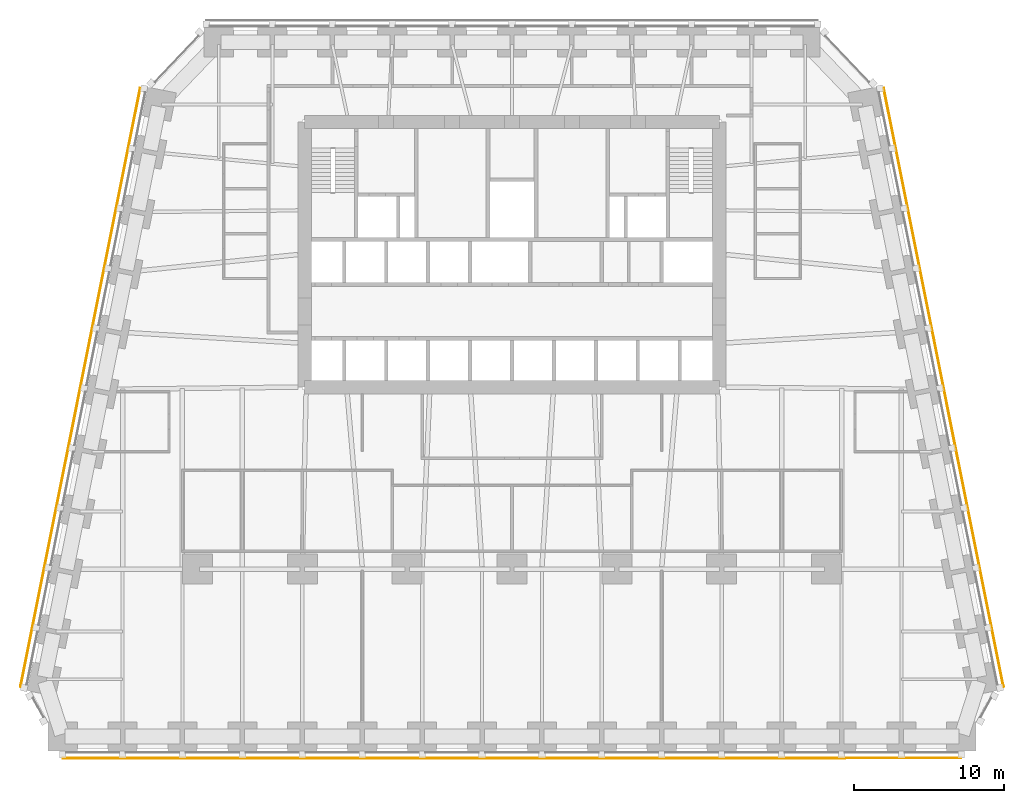
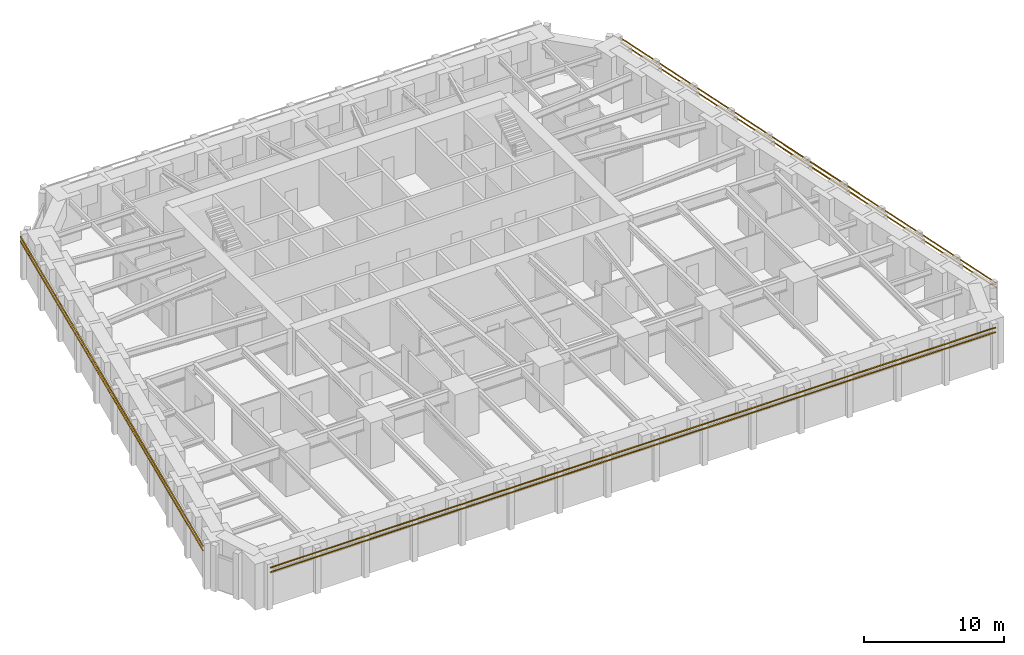
# One storey, part 9 of 10: 6 shading devices.
"""IFC4 building model written with IfcOpenShell, lengths in metres."""

from ifc_helpers import new_model, si_unit, direction, frame, origin, origin_2d, place, context, subcontext, project, spatial, rectangle, extrude, material, material_profile, profile_set, type_object, element, save


model = new_model("IFC4")

# Units and contexts
model_context = context("Model", 3, precision=1e-05, world=origin(), true_north=direction((0.0, 1.0)))
body_context = subcontext(model_context, "Body", "Model", "MODEL_VIEW")
ifc_project = project(units=[si_unit("LENGTHUNIT", "METRE"), si_unit("AREAUNIT", "SQUARE_METRE"), si_unit("VOLUMEUNIT", "CUBIC_METRE"), si_unit("PLANEANGLEUNIT", "RADIAN"), si_unit("MASSUNIT", "GRAM", prefix="KILO")], contexts=[model_context])

# Site, building, storey
site_placement = place(None, origin())
site = spatial("IfcSite", under=ifc_project, at=site_placement, CompositionType="ELEMENT")
building_placement = place(site_placement, origin())
building = spatial("IfcBuilding", under=site, at=building_placement, Name="Isbrekke Arena Tower", CompositionType="ELEMENT")
storey_placement = place(building_placement, frame((0.0, 0.0, 72.0)))
storey = spatial("IfcBuildingStorey", under=building, at=storey_placement, Name="L15", CompositionType="ELEMENT", Elevation=72.0)

# Shading devices
ifc_material = material(Name="Terracotta", Category="masonry")
ifc_material_profile = material_profile(ifc_material, rectangle(XDim=0.06005859375, YDim=0.06005859375, at=origin_2d()), Name="BAGUETTE 60X60")
ifc_profile_set = profile_set([ifc_material_profile], Name="Terracotta")
shading_device_type = type_object("IfcShadingDeviceType", Name="BG1 TERRACOTTA BAGUETTE 60 x 60", PredefinedType="USERDEFINED", material=ifc_profile_set)
for number, where, z_axis, x_axis, name in (
    (1, (-30.0, -18.6298828125, 3.280029296875), (1.0, 0.0, 0.0), (0.0, 1.0, 0.0), "BG1 terracotta baguette S1 L15"),
    (2, (-30.0, -18.6298828125, 3.679931640625), (1.0, 0.0, 0.0), (0.0, 1.0, 0.0), "BG1 terracotta baguette S2 L15"),
):
    element("IfcShadingDevice", number, at=place(storey_placement, frame(where, z_axis=z_axis, x_axis=x_axis)), inside=storey, type_object=shading_device_type, Name=name, ObjectType="TERRACOTTA BAGUETTE", PredefinedType="USERDEFINED", context=body_context, shape_type="SweptSolid", body=[
        extrude(rectangle(XDim=0.06005859375, YDim=0.06005859375, at=origin_2d()), origin(), (0.0, 0.0, 1.0), 60.0),
    ])
for number, where, z_axis, x_axis, name in (
    (3, (32.81787109375, -13.87646484375, 3.280029296875), (-0.196116135138, 0.980580675691, 0.0), (-0.980580675691, -0.196116135138, 0.0), "BG1 terracotta baguette E1 L15"),
    (4, (32.81787109375, -13.87646484375, 3.679931640625), (-0.196116135138, 0.980580675691, 0.0), (-0.980580675691, -0.196116135138, 0.0), "BG1 terracotta baguette E2 L15"),
    (5, (-24.81787109375, 26.12353515625, 3.280029296875), (-0.196116135138, -0.980580675691, 0.0), (0.980580675691, -0.196116135138, 0.0), "BG1 terracotta baguette W1 L15"),
    (6, (-24.81787109375, 26.12353515625, 3.679931640625), (-0.196116135138, -0.980580675691, 0.0), (0.980580675691, -0.196116135138, 0.0), "BG1 terracotta baguette W2 L15"),
):
    element("IfcShadingDevice", number, at=place(storey_placement, frame(where, z_axis=z_axis, x_axis=x_axis)), inside=storey, type_object=shading_device_type, Name=name, ObjectType="TERRACOTTA BAGUETTE", PredefinedType="USERDEFINED", context=body_context, shape_type="SweptSolid", body=[
        extrude(rectangle(XDim=0.06005859375, YDim=0.06005859375, at=origin_2d()), origin(), (0.0, 0.0, 1.0), 40.792236328125),
    ])

save(model, "model.ifc")
